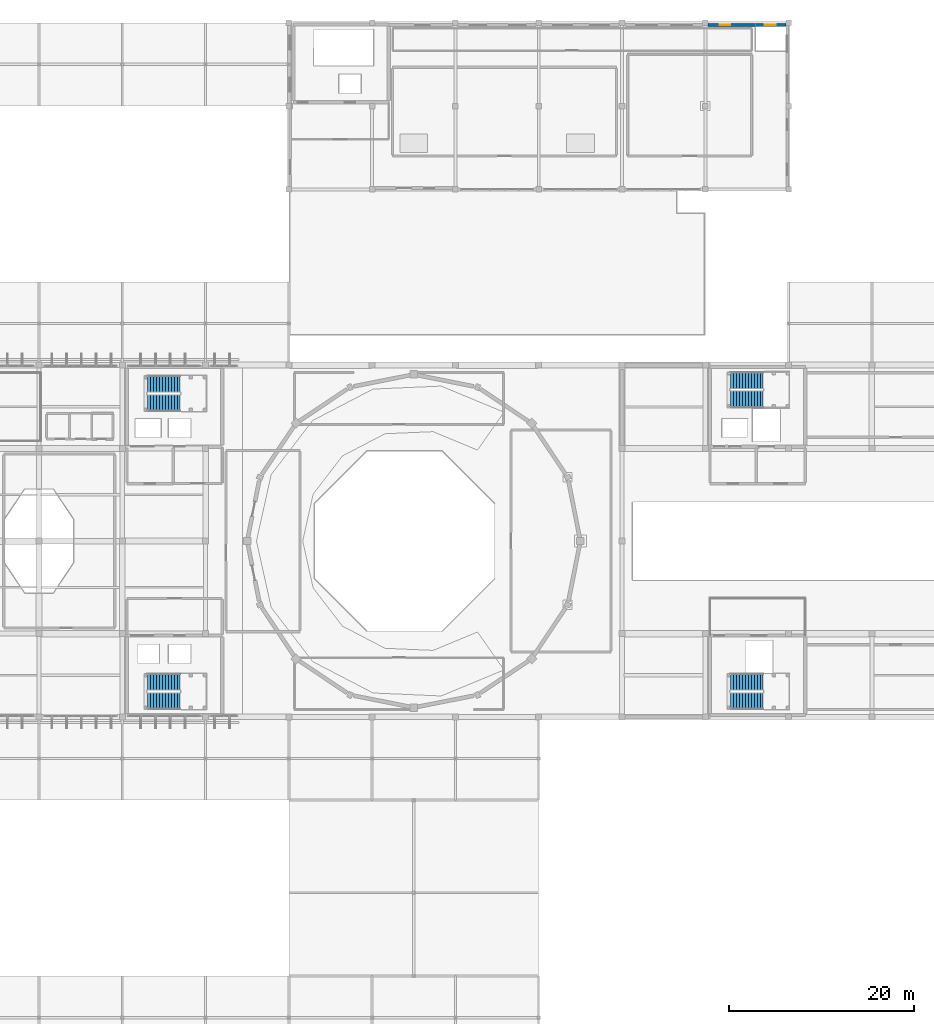
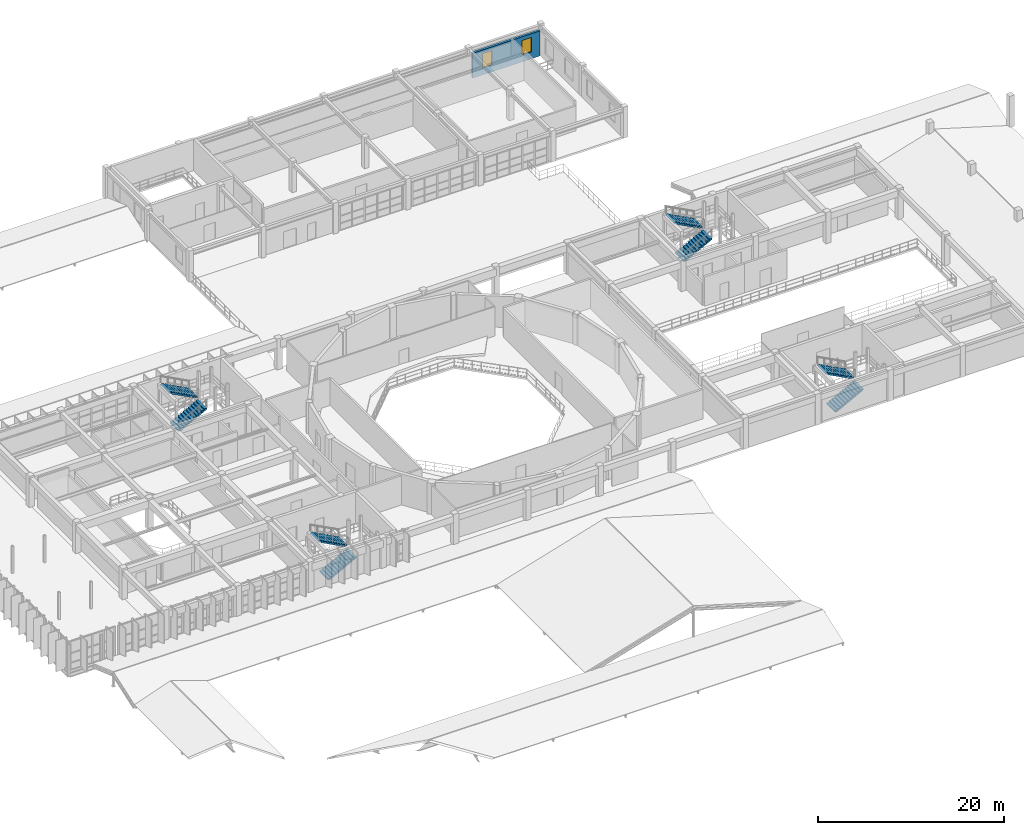
# One storey, part 73 of 80: 8 stair flights, 2 windows, 1 wall, 2 openings, 4 elements without a shape of their own.
"""IFC4 building model written with IfcOpenShell, lengths in metres."""

from ifc_helpers import new_model, si_unit, direction, frame, frame_2d, origin, place, context, subcontext, project, spatial, polyline, rectangle, outline, extrude, material, layer, layer_set, type_object, element, fill, aggregate, save


model = new_model("IFC4")

# Units and contexts
model_context = context("Model", 3, precision=1e-05, world=origin(), true_north=direction((0.0, 1.0)))
body_context = subcontext(model_context, "Body", "Model", "MODEL_VIEW")
ifc_project = project(units=[si_unit("LENGTHUNIT", "METRE"), si_unit("AREAUNIT", "SQUARE_METRE"), si_unit("VOLUMEUNIT", "CUBIC_METRE"), si_unit("PLANEANGLEUNIT", "RADIAN"), si_unit("MASSUNIT", "GRAM", prefix="KILO")], contexts=[model_context])

# Site, building, storey
site_placement = place(None, origin())
site = spatial("IfcSite", under=ifc_project, at=site_placement, CompositionType="ELEMENT")
building_placement = place(site_placement, origin())
building = spatial("IfcBuilding", under=site, at=building_placement, Name="Miravela Opera House", CompositionType="ELEMENT")
storey_placement = place(building_placement, frame((0.0, 0.0, 17.679931640625)))
storey = spatial("IfcBuildingStorey", under=building, at=storey_placement, Name="L04", CompositionType="ELEMENT", Elevation=17.679931640625)

# Wall, openings, windows
ifc_material_1 = material(Name="Insulated cream lime-stuccoed masonry", Category="masonry")
ifc_layer = layer(ifc_material_1, 0.2900390625)
ifc_layer_set = layer_set([ifc_layer])
wall_type = type_object("IfcWallType", Name="ARC-EW-STUCCO-290", PredefinedType="STANDARD", material=ifc_layer_set)
wall_placement = place(storey_placement, frame((108.300048828125, 111.75, 0.0), z_axis=(0.0, 0.0, 1.0), x_axis=(1.0, 0.0, 0.0)))
wall = element("IfcWall", 1, at=wall_placement, inside=storey, type_object=wall_type, Name="Spanish Colonial Stucco Facade Wall L04-057", PredefinedType="STANDARD", context=body_context, shape_type="SweptSolid", body=[
    extrude(rectangle(XDim=8.39990234375, YDim=0.2900390625, at=frame_2d((4.199951171875, 0.0))), origin(), (0.0, 0.0, 1.0), 3.277099609375),
])
opening_1_placement = place(wall_placement, frame((1.25, 0.0, 0.89990234375)))
opening_1 = element("IfcOpeningElement", 2, at=opening_1_placement, cuts=wall, Name="Opening W-35", PredefinedType="OPENING", context=body_context, shape_type="SweptSolid", body=[
    extrude(rectangle(XDim=1.159912109375, YDim=1.89990234375, at=frame_2d((0.580078125, 0.949951171875))), frame((0.0, 0.155029296875, 0.0), z_axis=(0.0, -1.0, 0.0), x_axis=(1.0, 0.0, 0.0)), (0.0, 0.0, 1.0), 0.31005859375),
])
opening_2_placement = place(wall_placement, frame((6.139892578125, 0.0, 0.89990234375)))
opening_2 = element("IfcOpeningElement", 3, at=opening_2_placement, cuts=wall, Name="Opening W-35", PredefinedType="OPENING", context=body_context, shape_type="SweptSolid", body=[
    extrude(rectangle(XDim=1.159912109375, YDim=1.89990234375, at=frame_2d((0.580078125, 0.949951171875))), frame((0.0, 0.155029296875, 0.0), z_axis=(0.0, -1.0, 0.0), x_axis=(1.0, 0.0, 0.0)), (0.0, 0.0, 1.0), 0.31005859375),
])
ifc_material_2 = material(Name="Bronze-anodised aluminium and acoustic low-E glass", Category="aluminium")
window_type = type_object("IfcWindowType", Name="ARC-WIN-35", PartitioningType="SINGLE_PANEL", PredefinedType="WINDOW", material=ifc_material_2)
window_1_placement = place(opening_1_placement, origin())
window_1 = element("IfcWindow", 4, at=window_1_placement, inside=storey, type_object=window_type, Name="Window W-35 #133", OverallHeight=1.89990234375, OverallWidth=1.159912109375, PartitioningType="SINGLE_PANEL", PredefinedType="WINDOW", context=body_context, shape_type="SweptSolid", body=[
    extrude(rectangle(XDim=1.159912109375, YDim=1.89990234375, at=frame_2d((0.580078125, 0.949951171875))), frame((0.0, 0.030029296875, 0.0), z_axis=(0.0, -1.0, 0.0), x_axis=(1.0, 0.0, 0.0)), (0.0, 0.0, 1.0), 0.06005859375),
])
fill(opening_1, window_1)
window_2_placement = place(opening_2_placement, origin())
window_2 = element("IfcWindow", 5, at=window_2_placement, inside=storey, type_object=window_type, Name="Window W-35 #134", OverallHeight=1.89990234375, OverallWidth=1.159912109375, PartitioningType="SINGLE_PANEL", PredefinedType="WINDOW", context=body_context, shape_type="SweptSolid", body=[
    extrude(rectangle(XDim=1.159912109375, YDim=1.89990234375, at=frame_2d((0.580078125, 0.949951171875))), frame((0.0, 0.030029296875, 0.0), z_axis=(0.0, -1.0, 0.0), x_axis=(1.0, 0.0, 0.0)), (0.0, 0.0, 1.0), 0.06005859375),
])
fill(opening_2, window_2)

# Stair, stair flights
ifc_material_3 = material(Name="Concrete C35/45", Category="concrete")
stair_type = type_object("IfcStairType", Name="ARC-STAIR-CORE-1680", PredefinedType="HALF_TURN_STAIR", material=ifc_material_3)
stair_1_placement = place(storey_placement, origin())
stair_1 = element("IfcStair", 6, at=stair_1_placement, inside=storey, type_object=stair_type, Name="L04 Core K1 North Foyer and Firefighting Core Exit Stair ST-01", PredefinedType="HALF_TURN_STAIR")
stair_flight_type = type_object("IfcStairFlightType", Name="ARC-FLIGHT-1680", PredefinedType="STRAIGHT", material=ifc_material_3)
stair_flight_1_placement = place(storey_placement, frame((47.739990234375, 70.919921875, 0.0), z_axis=(0.0, 0.0, 1.0), x_axis=(1.0, 0.0, 0.0)))
stair_flight_1 = element("IfcStairFlight", 7, at=stair_flight_1_placement, type_object=stair_flight_type, Name="ST-01 flight 1", NumberOfRisers=12, NumberOfTreads=11, PredefinedType="STRAIGHT", RiserHeight=0.17, TreadLength=0.32, context=body_context, shape_type="SweptSolid", body=[
    extrude(outline(polyline([(0.0, 0.0), (0.0, 0.169921875), (0.320068359375, 0.169921875), (0.320068359375, 0.340087890625), (0.639892578125, 0.340087890625), (0.639892578125, 0.510009765625), (0.9599609375, 0.510009765625), (0.9599609375, 0.679931640625), (1.280029296875, 0.679931640625), (1.280029296875, 0.85009765625), (1.60009765625, 0.85009765625), (1.60009765625, 1.02001953125), (1.919921875, 1.02001953125), (1.919921875, 1.18994140625), (2.239990234375, 1.18994140625), (2.239990234375, 1.360107421875), (2.56005859375, 1.360107421875), (2.56005859375, 1.530029296875), (2.8798828125, 1.530029296875), (2.8798828125, 1.699951171875), (3.199951171875, 1.699951171875), (3.199951171875, 1.8701171875), (3.52001953125, 1.8701171875), (3.52001953125, 2.0400390625), (3.52001953125, 1.7001953125), (0.319580078125, 0.0), (0.0, 0.0)])), frame((0.0, 0.919921875, 0.0), z_axis=(0.0, -1.0, 0.0), x_axis=(1.0, 0.0, 0.0)), (0.0, 0.0, 1.0), 1.840087890625),
])
stair_flight_2_placement = place(storey_placement, frame((51.260009765625, 72.9599609375, 2.0400390625), z_axis=(0.0, 0.0, 1.0), x_axis=(-1.0, 0.0, 0.0)))
stair_flight_2 = element("IfcStairFlight", 8, at=stair_flight_2_placement, type_object=stair_flight_type, Name="ST-01 flight 2", NumberOfRisers=12, NumberOfTreads=11, PredefinedType="STRAIGHT", RiserHeight=0.17, TreadLength=0.32, context=body_context, shape_type="SweptSolid", body=[
    extrude(outline(polyline([(0.0, 0.0), (0.0, 0.169921875), (0.320068359375, 0.169921875), (0.320068359375, 0.340087890625), (0.639892578125, 0.340087890625), (0.639892578125, 0.510009765625), (0.9599609375, 0.510009765625), (0.9599609375, 0.679931640625), (1.280029296875, 0.679931640625), (1.280029296875, 0.85009765625), (1.60009765625, 0.85009765625), (1.60009765625, 1.02001953125), (1.919921875, 1.02001953125), (1.919921875, 1.18994140625), (2.239990234375, 1.18994140625), (2.239990234375, 1.360107421875), (2.56005859375, 1.360107421875), (2.56005859375, 1.530029296875), (2.8798828125, 1.530029296875), (2.8798828125, 1.699951171875), (3.199951171875, 1.699951171875), (3.199951171875, 1.8701171875), (3.52001953125, 1.8701171875), (3.52001953125, 2.0400390625), (3.52001953125, 1.7001953125), (0.319580078125, 0.0), (0.0, 0.0)])), frame((0.0, 0.919921875, 0.0), z_axis=(0.0, -1.0, 0.0), x_axis=(1.0, 0.0, 0.0)), (0.0, 0.0, 1.0), 1.840087890625),
])
aggregate(stair_1, [stair_flight_1, stair_flight_2])

stair_2_placement = place(storey_placement, origin())
stair_2 = element("IfcStair", 9, at=stair_2_placement, inside=storey, type_object=stair_type, Name="L04 Core K2 South Foyer Core Exit Stair ST-02", PredefinedType="HALF_TURN_STAIR")
stair_flight_3_placement = place(storey_placement, frame((47.739990234375, 38.719970703125, 0.0), z_axis=(0.0, 0.0, 1.0), x_axis=(1.0, 0.0, 0.0)))
stair_flight_3 = element("IfcStairFlight", 10, at=stair_flight_3_placement, type_object=stair_flight_type, Name="ST-02 flight 1", NumberOfRisers=12, NumberOfTreads=11, PredefinedType="STRAIGHT", RiserHeight=0.17, TreadLength=0.32, context=body_context, shape_type="SweptSolid", body=[
    extrude(outline(polyline([(0.0, 0.0), (0.0, 0.169921875), (0.320068359375, 0.169921875), (0.320068359375, 0.340087890625), (0.639892578125, 0.340087890625), (0.639892578125, 0.510009765625), (0.9599609375, 0.510009765625), (0.9599609375, 0.679931640625), (1.280029296875, 0.679931640625), (1.280029296875, 0.85009765625), (1.60009765625, 0.85009765625), (1.60009765625, 1.02001953125), (1.919921875, 1.02001953125), (1.919921875, 1.18994140625), (2.239990234375, 1.18994140625), (2.239990234375, 1.360107421875), (2.56005859375, 1.360107421875), (2.56005859375, 1.530029296875), (2.8798828125, 1.530029296875), (2.8798828125, 1.699951171875), (3.199951171875, 1.699951171875), (3.199951171875, 1.8701171875), (3.52001953125, 1.8701171875), (3.52001953125, 2.0400390625), (3.52001953125, 1.7001953125), (0.319580078125, 0.0), (0.0, 0.0)])), frame((0.0, 0.919921875, 0.0), z_axis=(0.0, -1.0, 0.0), x_axis=(1.0, 0.0, 0.0)), (0.0, 0.0, 1.0), 1.840087890625),
])
stair_flight_4_placement = place(storey_placement, frame((51.260009765625, 40.760009765625, 2.0400390625), z_axis=(0.0, 0.0, 1.0), x_axis=(-1.0, 0.0, 0.0)))
stair_flight_4 = element("IfcStairFlight", 11, at=stair_flight_4_placement, type_object=stair_flight_type, Name="ST-02 flight 2", NumberOfRisers=12, NumberOfTreads=11, PredefinedType="STRAIGHT", RiserHeight=0.17, TreadLength=0.32, context=body_context, shape_type="SweptSolid", body=[
    extrude(outline(polyline([(0.0, 0.0), (0.0, 0.169921875), (0.320068359375, 0.169921875), (0.320068359375, 0.340087890625), (0.639892578125, 0.340087890625), (0.639892578125, 0.510009765625), (0.9599609375, 0.510009765625), (0.9599609375, 0.679931640625), (1.280029296875, 0.679931640625), (1.280029296875, 0.85009765625), (1.60009765625, 0.85009765625), (1.60009765625, 1.02001953125), (1.919921875, 1.02001953125), (1.919921875, 1.18994140625), (2.239990234375, 1.18994140625), (2.239990234375, 1.360107421875), (2.56005859375, 1.360107421875), (2.56005859375, 1.530029296875), (2.8798828125, 1.530029296875), (2.8798828125, 1.699951171875), (3.199951171875, 1.699951171875), (3.199951171875, 1.8701171875), (3.52001953125, 1.8701171875), (3.52001953125, 2.0400390625), (3.52001953125, 1.7001953125), (0.319580078125, 0.0), (0.0, 0.0)])), frame((0.0, 0.919921875, 0.0), z_axis=(0.0, -1.0, 0.0), x_axis=(1.0, 0.0, 0.0)), (0.0, 0.0, 1.0), 1.840087890625),
])
aggregate(stair_2, [stair_flight_3, stair_flight_4])

stair_3_placement = place(storey_placement, origin())
stair_3 = element("IfcStair", 12, at=stair_3_placement, inside=storey, type_object=stair_type, Name="L04 Core K3 North Stage and Firefighting Core Exit Stair ST-03", PredefinedType="HALF_TURN_STAIR")
stair_flight_5_placement = place(storey_placement, frame((110.739990234375, 71.320068359375, 0.0), z_axis=(0.0, 0.0, 1.0), x_axis=(1.0, 0.0, 0.0)))
stair_flight_5 = element("IfcStairFlight", 13, at=stair_flight_5_placement, type_object=stair_flight_type, Name="ST-03 flight 1", NumberOfRisers=12, NumberOfTreads=11, PredefinedType="STRAIGHT", RiserHeight=0.17, TreadLength=0.32, context=body_context, shape_type="SweptSolid", body=[
    extrude(outline(polyline([(0.0, 0.0), (0.0, 0.169921875), (0.320068359375, 0.169921875), (0.320068359375, 0.340087890625), (0.639892578125, 0.340087890625), (0.639892578125, 0.510009765625), (0.9599609375, 0.510009765625), (0.9599609375, 0.679931640625), (1.280029296875, 0.679931640625), (1.280029296875, 0.85009765625), (1.60009765625, 0.85009765625), (1.60009765625, 1.02001953125), (1.919921875, 1.02001953125), (1.919921875, 1.18994140625), (2.239990234375, 1.18994140625), (2.239990234375, 1.360107421875), (2.56005859375, 1.360107421875), (2.56005859375, 1.530029296875), (2.8798828125, 1.530029296875), (2.8798828125, 1.699951171875), (3.199951171875, 1.699951171875), (3.199951171875, 1.8701171875), (3.52001953125, 1.8701171875), (3.52001953125, 2.0400390625), (3.52001953125, 1.7001953125), (0.319580078125, 0.0), (0.0, 0.0)])), frame((0.0, 0.919921875, 0.0), z_axis=(0.0, -1.0, 0.0), x_axis=(1.0, 0.0, 0.0)), (0.0, 0.0, 1.0), 1.840087890625),
])
stair_flight_6_placement = place(storey_placement, frame((114.260009765625, 73.360107421875, 2.0400390625), z_axis=(0.0, 0.0, 1.0), x_axis=(-1.0, 0.0, 0.0)))
stair_flight_6 = element("IfcStairFlight", 14, at=stair_flight_6_placement, type_object=stair_flight_type, Name="ST-03 flight 2", NumberOfRisers=12, NumberOfTreads=11, PredefinedType="STRAIGHT", RiserHeight=0.17, TreadLength=0.32, context=body_context, shape_type="SweptSolid", body=[
    extrude(outline(polyline([(0.0, 0.0), (0.0, 0.169921875), (0.320068359375, 0.169921875), (0.320068359375, 0.340087890625), (0.639892578125, 0.340087890625), (0.639892578125, 0.510009765625), (0.9599609375, 0.510009765625), (0.9599609375, 0.679931640625), (1.280029296875, 0.679931640625), (1.280029296875, 0.85009765625), (1.60009765625, 0.85009765625), (1.60009765625, 1.02001953125), (1.919921875, 1.02001953125), (1.919921875, 1.18994140625), (2.239990234375, 1.18994140625), (2.239990234375, 1.360107421875), (2.56005859375, 1.360107421875), (2.56005859375, 1.530029296875), (2.8798828125, 1.530029296875), (2.8798828125, 1.699951171875), (3.199951171875, 1.699951171875), (3.199951171875, 1.8701171875), (3.52001953125, 1.8701171875), (3.52001953125, 2.0400390625), (3.52001953125, 1.7001953125), (0.319580078125, 0.0), (0.0, 0.0)])), frame((0.0, 0.919921875, 0.0), z_axis=(0.0, -1.0, 0.0), x_axis=(1.0, 0.0, 0.0)), (0.0, 0.0, 1.0), 1.840087890625),
])
aggregate(stair_3, [stair_flight_5, stair_flight_6])

stair_4_placement = place(storey_placement, origin())
stair_4 = element("IfcStair", 15, at=stair_4_placement, inside=storey, type_object=stair_type, Name="L04 Core K4 South Stage Core Exit Stair ST-04", PredefinedType="HALF_TURN_STAIR")
stair_flight_7_placement = place(storey_placement, frame((110.739990234375, 38.719970703125, 0.0), z_axis=(0.0, 0.0, 1.0), x_axis=(1.0, 0.0, 0.0)))
stair_flight_7 = element("IfcStairFlight", 16, at=stair_flight_7_placement, type_object=stair_flight_type, Name="ST-04 flight 1", NumberOfRisers=12, NumberOfTreads=11, PredefinedType="STRAIGHT", RiserHeight=0.17, TreadLength=0.32, context=body_context, shape_type="SweptSolid", body=[
    extrude(outline(polyline([(0.0, 0.0), (0.0, 0.169921875), (0.320068359375, 0.169921875), (0.320068359375, 0.340087890625), (0.639892578125, 0.340087890625), (0.639892578125, 0.510009765625), (0.9599609375, 0.510009765625), (0.9599609375, 0.679931640625), (1.280029296875, 0.679931640625), (1.280029296875, 0.85009765625), (1.60009765625, 0.85009765625), (1.60009765625, 1.02001953125), (1.919921875, 1.02001953125), (1.919921875, 1.18994140625), (2.239990234375, 1.18994140625), (2.239990234375, 1.360107421875), (2.56005859375, 1.360107421875), (2.56005859375, 1.530029296875), (2.8798828125, 1.530029296875), (2.8798828125, 1.699951171875), (3.199951171875, 1.699951171875), (3.199951171875, 1.8701171875), (3.52001953125, 1.8701171875), (3.52001953125, 2.0400390625), (3.52001953125, 1.7001953125), (0.319580078125, 0.0), (0.0, 0.0)])), frame((0.0, 0.919921875, 0.0), z_axis=(0.0, -1.0, 0.0), x_axis=(1.0, 0.0, 0.0)), (0.0, 0.0, 1.0), 1.840087890625),
])
stair_flight_8_placement = place(storey_placement, frame((114.260009765625, 40.760009765625, 2.0400390625), z_axis=(0.0, 0.0, 1.0), x_axis=(-1.0, 0.0, 0.0)))
stair_flight_8 = element("IfcStairFlight", 17, at=stair_flight_8_placement, type_object=stair_flight_type, Name="ST-04 flight 2", NumberOfRisers=12, NumberOfTreads=11, PredefinedType="STRAIGHT", RiserHeight=0.17, TreadLength=0.32, context=body_context, shape_type="SweptSolid", body=[
    extrude(outline(polyline([(0.0, 0.0), (0.0, 0.169921875), (0.320068359375, 0.169921875), (0.320068359375, 0.340087890625), (0.639892578125, 0.340087890625), (0.639892578125, 0.510009765625), (0.9599609375, 0.510009765625), (0.9599609375, 0.679931640625), (1.280029296875, 0.679931640625), (1.280029296875, 0.85009765625), (1.60009765625, 0.85009765625), (1.60009765625, 1.02001953125), (1.919921875, 1.02001953125), (1.919921875, 1.18994140625), (2.239990234375, 1.18994140625), (2.239990234375, 1.360107421875), (2.56005859375, 1.360107421875), (2.56005859375, 1.530029296875), (2.8798828125, 1.530029296875), (2.8798828125, 1.699951171875), (3.199951171875, 1.699951171875), (3.199951171875, 1.8701171875), (3.52001953125, 1.8701171875), (3.52001953125, 2.0400390625), (3.52001953125, 1.7001953125), (0.319580078125, 0.0), (0.0, 0.0)])), frame((0.0, 0.919921875, 0.0), z_axis=(0.0, -1.0, 0.0), x_axis=(1.0, 0.0, 0.0)), (0.0, 0.0, 1.0), 1.840087890625),
])
aggregate(stair_4, [stair_flight_7, stair_flight_8])

save(model, "model.ifc")
